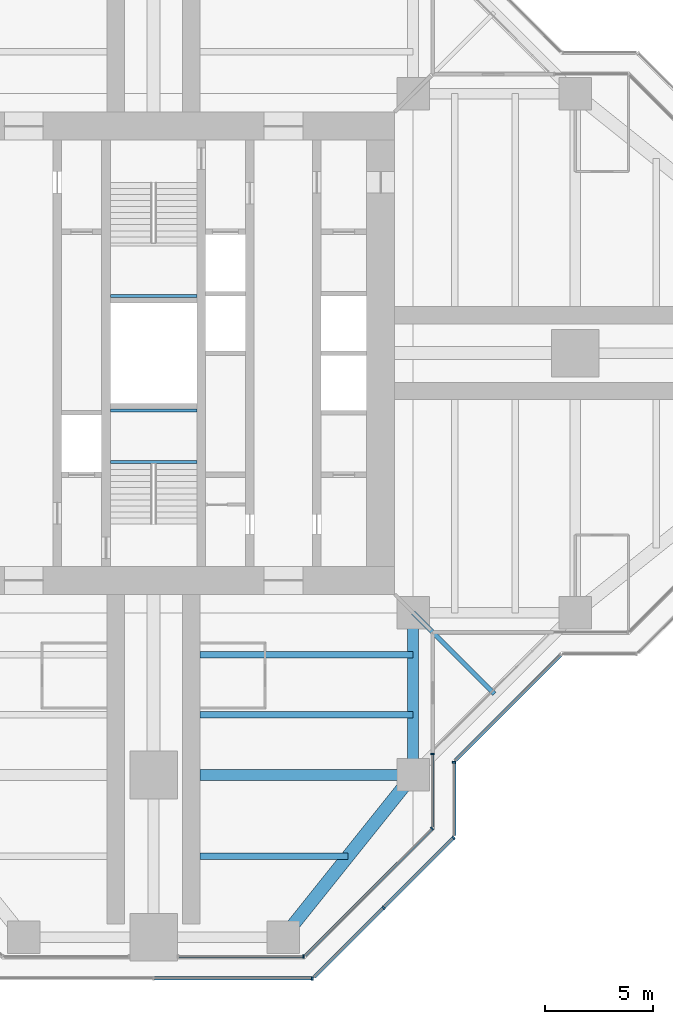
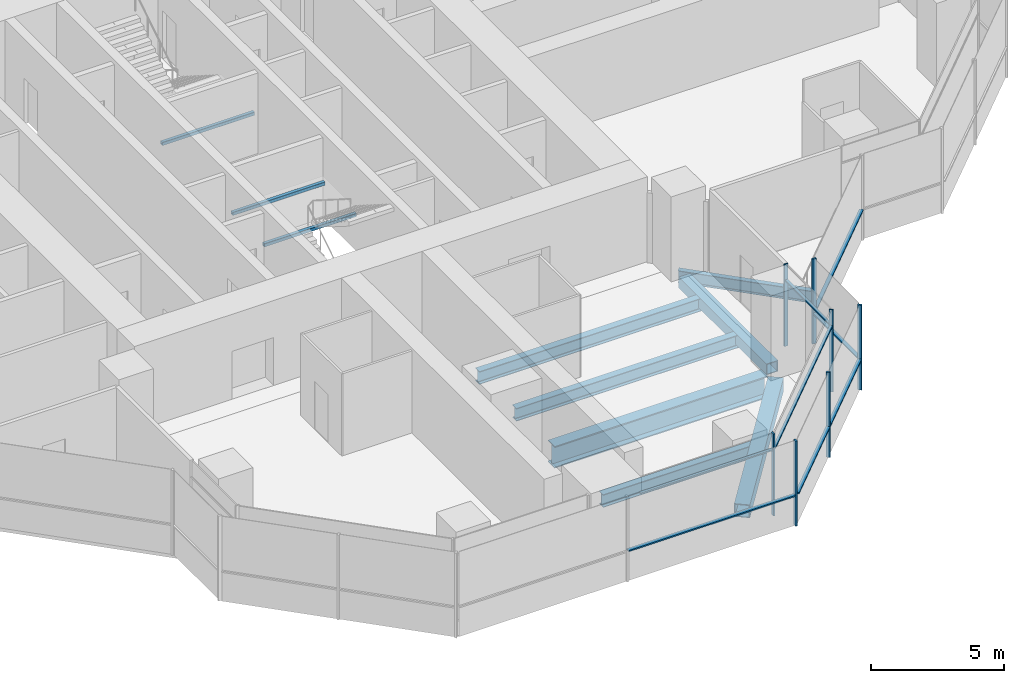
# One storey, part 4 of 17: 15 members, 10 beams, 7 elements without a shape of their own.
"""IFC4 building model written with IfcOpenShell, lengths in metres."""

from ifc_helpers import new_model, si_unit, direction, frame, origin, origin_2d, place, context, subcontext, project, spatial, rectangle, hollow_rectangle, i_section, extrude, material, material_profile, profile_set, type_object, element, aggregate, save


model = new_model("IFC4")

# Units and contexts
model_context = context("Model", 3, precision=1e-05, world=origin(), true_north=direction((0.0, 1.0)))
body_context = subcontext(model_context, "Body", "Model", "MODEL_VIEW")
ifc_project = project(units=[si_unit("LENGTHUNIT", "METRE"), si_unit("AREAUNIT", "SQUARE_METRE"), si_unit("VOLUMEUNIT", "CUBIC_METRE"), si_unit("PLANEANGLEUNIT", "RADIAN"), si_unit("MASSUNIT", "GRAM", prefix="KILO")], contexts=[model_context])

# Site, building, storey
site_placement = place(None, origin())
site = spatial("IfcSite", under=ifc_project, at=site_placement, CompositionType="ELEMENT")
building_placement = place(site_placement, origin())
building = spatial("IfcBuilding", under=site, at=building_placement, Name="Mizan Broadcast Tower", CompositionType="ELEMENT")
storey_placement = place(building_placement, frame((0.0, 0.0, 251.699951171875)))
storey = spatial("IfcBuildingStorey", under=building, at=storey_placement, Name="L59", CompositionType="ELEMENT", Elevation=251.699951171875)

# Beams
ifc_material_1 = material(Name="Steel S355", Category="steel")
ifc_material_profile_1 = material_profile(ifc_material_1, hollow_rectangle(XDim=0.5, YDim=0.5, WallThickness=0.030029296875, at=origin_2d()), Name="BOX 500x500x30")
ifc_profile_set_1 = profile_set([ifc_material_profile_1], Name="Steel S355")
beam_type_1 = type_object("IfcBeamType", Name="EDGE BEAM BOX 500x500x30", PredefinedType="SPANDREL", material=ifc_profile_set_1)
beam_1_placement = place(storey_placement, frame((12.0, -12.449951171875, -0.3798828125), z_axis=(0.0, -1.0, 0.0), x_axis=(1.0, 0.0, 0.0)))
element("IfcBeam", 1, at=beam_1_placement, inside=storey, type_object=beam_type_1, Name="Edge beam BOX 500x500x30 L59 south arm", PredefinedType="SPANDREL", context=body_context, shape_type="SweptSolid", body=[
    extrude(hollow_rectangle(XDim=0.5, YDim=0.5, WallThickness=0.030029296875, at=origin_2d()), origin(), (0.0, 0.0, 1.0), 6.60009765625),
])
ifc_material_2 = material(Name="Steel S355", Category="steel")
ifc_material_profile_2 = material_profile(ifc_material_2, hollow_rectangle(XDim=0.60009765625, YDim=0.60009765625, WallThickness=0.030029296875, at=origin_2d()), Name="BOX 600x600x30")
ifc_profile_set_2 = profile_set([ifc_material_profile_2], Name="Steel S355")
beam_type_2 = type_object("IfcBeamType", Name="EDGE BEAM BOX 600x600x30", PredefinedType="SPANDREL", material=ifc_profile_set_2)
beam_2_placement = place(storey_placement, frame((11.639892578125, -19.949951171875, -0.429931640625), z_axis=(-0.624673911726, -0.780885717636, 0.0), x_axis=(0.780885717636, -0.624673911726, 0.0)))
element("IfcBeam", 2, at=beam_2_placement, inside=storey, type_object=beam_type_2, Name="Edge beam BOX 600x600x30 L59 south arm", PredefinedType="SPANDREL", context=body_context, shape_type="SweptSolid", body=[
    extrude(hollow_rectangle(XDim=0.60009765625, YDim=0.60009765625, WallThickness=0.030029296875, at=origin_2d()), origin(), (0.0, 0.0, 1.0), 8.4521484375),
])
ifc_material_3 = material(Name="Steel S460", Category="steel")
ifc_material_profile_3 = material_profile(ifc_material_3, i_section(OverallWidth=0.5, OverallDepth=1.0, WebThickness=0.02490234375, FlangeThickness=0.050048828125, at=origin_2d()), Name="WPG 1000x500")
ifc_profile_set_3 = profile_set([ifc_material_profile_3], Name="Steel S460")
beam_type_3 = type_object("IfcBeamType", Name="GIRDER WPG 1000x500", PredefinedType="BEAM", material=ifc_profile_set_3)
beam_3_placement = place(storey_placement, frame((11.408935546875, -19.5, -0.6298828125), z_axis=(-1.0, 0.0, 0.0), x_axis=(0.0, -1.0, 0.0)))
element("IfcBeam", 3, at=beam_3_placement, inside=storey, type_object=beam_type_3, Name="Girder WPG 1000x500 L59 south arm", PredefinedType="BEAM", context=body_context, shape_type="SweptSolid", body=[
    extrude(i_section(OverallWidth=0.5, OverallDepth=1.0, WebThickness=0.02490234375, FlangeThickness=0.050048828125, at=origin_2d()), origin(), (0.0, 0.0, 1.0), 9.259033203125),
])

# Curtain wall, member
ifc_material_4 = material(Name="Aluminium framed glazing", Category="aluminium")
curtain_wall_type_1 = type_object("IfcCurtainWallType", Name="INNER SKIN HIGH ZONE", PredefinedType="USERDEFINED", material=ifc_material_4)
curtain_wall_1_placement = place(storey_placement, origin())
curtain_wall_1 = element("IfcCurtainWall", 4, at=curtain_wall_1_placement, inside=storey, type_object=curtain_wall_type_1, Name="Inner skin high zone L59 S end", ObjectType="INNER SKIN HIGH ZONE", PredefinedType="USERDEFINED")
ifc_material_5 = material(Name="Aluminium, pale anodised", Category="aluminium")
ifc_material_profile_4 = material_profile(ifc_material_5, rectangle(XDim=0.159912109375, YDim=0.06005859375, at=origin_2d()), Name="MULLION 160x60")
ifc_profile_set_4 = profile_set([ifc_material_profile_4], Name="Aluminium, pale anodised")
member_type_1 = type_object("IfcMemberType", Name="INNER SKIN MULLION 60x160", PredefinedType="MULLION", material=ifc_profile_set_4)
member_1_placement = place(storey_placement, frame((6.928466796875, -27.89990234375, 0.0), z_axis=(0.0, 0.0, 1.0), x_axis=(0.0, 1.0, 0.0)))
member_1 = element("IfcMember", 5, at=member_1_placement, type_object=member_type_1, Name="Inner skin high zone L59 S end mullion 2", PredefinedType="MULLION", context=body_context, shape_type="SweptSolid", body=[
    extrude(rectangle(XDim=0.159912109375, YDim=0.06005859375, at=origin_2d()), origin(), (0.0, 0.0, 1.0), 3.77001953125),
])

curtain_wall_2_placement = place(storey_placement, origin())
curtain_wall_2 = element("IfcCurtainWall", 6, at=curtain_wall_2_placement, inside=storey, type_object=curtain_wall_type_1, Name="Inner skin high zone L59 S chamfer", ObjectType="INNER SKIN HIGH ZONE", PredefinedType="USERDEFINED")
member_2_placement = place(storey_placement, frame((12.87890625, -21.979736328125, 0.0), z_axis=(0.0, 0.0, 1.0), x_axis=(-0.707106781187, 0.707106781187, 0.0)))
member_2 = element("IfcMember", 7, at=member_2_placement, type_object=member_type_1, Name="Inner skin high zone L59 S chamfer mullion 2", PredefinedType="MULLION", context=body_context, shape_type="SweptSolid", body=[
    extrude(rectangle(XDim=0.159912109375, YDim=0.06005859375, at=origin_2d()), origin(), (0.0, 0.0, 1.0), 3.77001953125),
])

curtain_wall_3_placement = place(storey_placement, origin())
curtain_wall_3 = element("IfcCurtainWall", 8, at=curtain_wall_3_placement, inside=storey, type_object=curtain_wall_type_1, Name="Inner skin high zone L59 S side", ObjectType="INNER SKIN HIGH ZONE", PredefinedType="USERDEFINED")
member_3_placement = place(storey_placement, frame((12.89990234375, -18.530029296875, 0.0), z_axis=(0.0, 0.0, 1.0), x_axis=(-1.0, 0.0, 0.0)))
member_3 = element("IfcMember", 9, at=member_3_placement, type_object=member_type_1, Name="Inner skin high zone L59 S side mullion 2", PredefinedType="MULLION", context=body_context, shape_type="SweptSolid", body=[
    extrude(rectangle(XDim=0.159912109375, YDim=0.06005859375, at=origin_2d()), origin(), (0.0, 0.0, 1.0), 3.77001953125),
])

# Member
ifc_material_6 = material(Name="Aluminium, pale anodised", Category="aluminium")
ifc_material_profile_5 = material_profile(ifc_material_6, rectangle(XDim=0.1201171875, YDim=0.06005859375, at=origin_2d()), Name="TRANSOM 120x60")
ifc_profile_set_5 = profile_set([ifc_material_profile_5], Name="Aluminium, pale anodised")
member_type_2 = type_object("IfcMemberType", Name="INNER SKIN TRANSOM 60x120", PredefinedType="USERDEFINED", material=ifc_profile_set_5)
member_4_placement = place(storey_placement, frame((1.159912109375, -27.89990234375, 3.030029296875), z_axis=(1.0, 0.0, 0.0), x_axis=(0.0, 1.0, 0.0)))
member_4 = element("IfcMember", 10, at=member_4_placement, type_object=member_type_2, Name="Inner skin high zone L59 S end transom 1.1", ObjectType="TRANSOM", PredefinedType="USERDEFINED", context=body_context, shape_type="SweptSolid", body=[
    extrude(rectangle(XDim=0.1201171875, YDim=0.06005859375, at=origin_2d()), origin(), (0.0, 0.0, 1.0), 5.73876953125),
])

aggregate(curtain_wall_1, [member_1, member_4])

member_5_placement = place(storey_placement, frame((7.0009765625, -27.857666015625, 3.030029296875), z_axis=(0.707106781187, 0.707106781187, 0.0), x_axis=(-0.707106781187, 0.707106781187, 0.0)))
member_5 = element("IfcMember", 11, at=member_5_placement, type_object=member_type_2, Name="Inner skin high zone L59 S chamfer transom 1.1", ObjectType="TRANSOM", PredefinedType="USERDEFINED", context=body_context, shape_type="SweptSolid", body=[
    extrude(rectangle(XDim=0.1201171875, YDim=0.06005859375, at=origin_2d()), origin(), (0.0, 0.0, 1.0), 8.28271484375),
])

aggregate(curtain_wall_2, [member_2, member_5])

member_6_placement = place(storey_placement, frame((12.89990234375, -21.898681640625, 3.030029296875), z_axis=(0.0, 1.0, 0.0), x_axis=(-1.0, 0.0, 0.0)))
member_6 = element("IfcMember", 12, at=member_6_placement, type_object=member_type_2, Name="Inner skin high zone L59 S side transom 1.1", ObjectType="TRANSOM", PredefinedType="USERDEFINED", context=body_context, shape_type="SweptSolid", body=[
    extrude(rectangle(XDim=0.1201171875, YDim=0.06005859375, at=origin_2d()), origin(), (0.0, 0.0, 1.0), 3.338623046875),
])

aggregate(curtain_wall_3, [member_3, member_6])

# Beams
ifc_material_7 = material(Name="Steel S355", Category="steel")
ifc_material_profile_6 = material_profile(ifc_material_7, hollow_rectangle(XDim=0.14990234375, YDim=0.14990234375, WallThickness=0.008056640625, InnerFilletRadius=0.008056640625, OuterFilletRadius=0.011962890625, at=origin_2d()), Name="SHS 150x150x8")
ifc_profile_set_6 = profile_set([ifc_material_profile_6], Name="Steel S355")
beam_type_4 = type_object("IfcBeamType", Name="LANDING TRIMMER SHS 150x150x8", PredefinedType="BEAM", material=ifc_profile_set_6)
for number, where, z_axis, x_axis, name in (
    (13, (-2.0, -5.02490234375, 1.675048828125), (1.0, 0.0, 0.0), (0.0, 1.0, 0.0), "Stair A landing trimmer L59"),
    (14, (-2.0, -2.64990234375, 1.675048828125), (1.0, 0.0, 0.0), (0.0, 1.0, 0.0), "Stair A landing trimmer L59"),
    (15, (2.0, 2.64990234375, 1.675048828125), (-1.0, 0.0, 0.0), (0.0, -1.0, 0.0), "Stair B landing trimmer L59"),
):
    element("IfcBeam", number, at=place(storey_placement, frame(where, z_axis=z_axis, x_axis=x_axis)), inside=storey, type_object=beam_type_4, Name=name, PredefinedType="BEAM", context=body_context, shape_type="SweptSolid", body=[
        extrude(hollow_rectangle(XDim=0.14990234375, YDim=0.14990234375, WallThickness=0.008056640625, InnerFilletRadius=0.008056640625, OuterFilletRadius=0.011962890625, at=origin_2d()), origin(), (0.0, 0.0, 1.0), 4.0),
    ])

# Curtain wall, member
ifc_material_8 = material(Name="Aluminium framed glazing", Category="aluminium")
curtain_wall_type_2 = type_object("IfcCurtainWallType", Name="OUTER SKIN", PredefinedType="USERDEFINED", material=ifc_material_8)
curtain_wall_4_placement = place(storey_placement, origin())
curtain_wall_4 = element("IfcCurtainWall", 16, at=curtain_wall_4_placement, inside=storey, type_object=curtain_wall_type_2, Name="Outer skin L59 S end", ObjectType="OUTER SKIN", PredefinedType="USERDEFINED")
ifc_material_9 = material(Name="Aluminium, pale anodised", Category="aluminium")
ifc_material_profile_7 = material_profile(ifc_material_9, rectangle(XDim=0.159912109375, YDim=0.080078125, at=origin_2d()), Name="MULLION 160x80")
ifc_profile_set_7 = profile_set([ifc_material_profile_7], Name="Aluminium, pale anodised")
member_type_3 = type_object("IfcMemberType", Name="OUTER SKIN MULLION 80x160", PredefinedType="MULLION", material=ifc_profile_set_7)
member_7_placement = place(storey_placement, frame((7.332763671875, -28.89990234375, 0.0), z_axis=(0.0, 0.0, 1.0), x_axis=(0.0, 1.0, 0.0)))
member_7 = element("IfcMember", 17, at=member_7_placement, type_object=member_type_3, Name="Outer skin L59 S end mullion 3", PredefinedType="MULLION", context=body_context, shape_type="SweptSolid", body=[
    extrude(rectangle(XDim=0.159912109375, YDim=0.080078125, at=origin_2d()), origin(), (0.0, 0.0, 1.0), 3.900146484375),
])

# Curtain wall, members
curtain_wall_5_placement = place(storey_placement, origin())
curtain_wall_5 = element("IfcCurtainWall", 18, at=curtain_wall_5_placement, inside=storey, type_object=curtain_wall_type_2, Name="Outer skin L59 S chamfer", ObjectType="OUTER SKIN", PredefinedType="USERDEFINED")
member_8_placement = place(storey_placement, frame((10.636474609375, -25.636474609375, 0.0), z_axis=(0.0, 0.0, 1.0), x_axis=(-0.707106781187, 0.707106781187, 0.0)))
member_8 = element("IfcMember", 19, at=member_8_placement, type_object=member_type_3, Name="Outer skin L59 S chamfer mullion 2", PredefinedType="MULLION", context=body_context, shape_type="SweptSolid", body=[
    extrude(rectangle(XDim=0.159912109375, YDim=0.080078125, at=origin_2d()), origin(), (0.0, 0.0, 1.0), 3.900146484375),
])
member_9_placement = place(storey_placement, frame((13.871826171875, -22.401123046875, 0.0), z_axis=(0.0, 0.0, 1.0), x_axis=(-0.707106781187, 0.707106781187, 0.0)))
member_9 = element("IfcMember", 20, at=member_9_placement, type_object=member_type_3, Name="Outer skin L59 S chamfer mullion 3", PredefinedType="MULLION", context=body_context, shape_type="SweptSolid", body=[
    extrude(rectangle(XDim=0.159912109375, YDim=0.080078125, at=origin_2d()), origin(), (0.0, 0.0, 1.0), 3.900146484375),
])

# Curtain wall, member
curtain_wall_6_placement = place(storey_placement, origin())
curtain_wall_6 = element("IfcCurtainWall", 21, at=curtain_wall_6_placement, inside=storey, type_object=curtain_wall_type_2, Name="Outer skin L59 S side", ObjectType="OUTER SKIN", PredefinedType="USERDEFINED")
member_10_placement = place(storey_placement, frame((13.89990234375, -18.912841796875, 0.0), z_axis=(0.0, 0.0, 1.0), x_axis=(-1.0, 0.0, 0.0)))
member_10 = element("IfcMember", 22, at=member_10_placement, type_object=member_type_3, Name="Outer skin L59 S side mullion 2", PredefinedType="MULLION", context=body_context, shape_type="SweptSolid", body=[
    extrude(rectangle(XDim=0.159912109375, YDim=0.080078125, at=origin_2d()), origin(), (0.0, 0.0, 1.0), 3.900146484375),
])

# Member
ifc_material_10 = material(Name="Aluminium, pale anodised", Category="aluminium")
ifc_material_profile_8 = material_profile(ifc_material_10, rectangle(XDim=0.159912109375, YDim=0.06005859375, at=origin_2d()), Name="TRANSOM 160x60")
ifc_profile_set_8 = profile_set([ifc_material_profile_8], Name="Aluminium, pale anodised")
member_type_4 = type_object("IfcMemberType", Name="OUTER SKIN TRANSOM 60x160", PredefinedType="USERDEFINED", material=ifc_profile_set_8)
member_11_placement = place(storey_placement, frame((0.0400390625, -28.89990234375, 1.400146484375), z_axis=(1.0, 0.0, 0.0), x_axis=(0.0, 1.0, 0.0)))
member_11 = element("IfcMember", 23, at=member_11_placement, type_object=member_type_4, Name="Outer skin L59 S end transom 2.1", ObjectType="TRANSOM", PredefinedType="USERDEFINED", context=body_context, shape_type="SweptSolid", body=[
    extrude(rectangle(XDim=0.159912109375, YDim=0.06005859375, at=origin_2d()), origin(), (0.0, 0.0, 1.0), 7.252685546875),
])

aggregate(curtain_wall_4, [member_7, member_11])

member_12_placement = place(storey_placement, frame((7.429443359375, -28.843505859375, 1.400146484375), z_axis=(0.707106781187, 0.707106781187, 0.0), x_axis=(-0.707106781187, 0.707106781187, 0.0)))
member_12 = element("IfcMember", 24, at=member_12_placement, type_object=member_type_4, Name="Outer skin L59 S chamfer transom 1.1", ObjectType="TRANSOM", PredefinedType="USERDEFINED", context=body_context, shape_type="SweptSolid", body=[
    extrude(rectangle(XDim=0.159912109375, YDim=0.06005859375, at=origin_2d()), origin(), (0.0, 0.0, 1.0), 4.495361328125),
])

member_13_placement = place(storey_placement, frame((10.664794921875, -25.608154296875, 1.400146484375), z_axis=(0.707106781187, 0.707106781187, 0.0), x_axis=(-0.707106781187, 0.707106781187, 0.0)))
member_13 = element("IfcMember", 25, at=member_13_placement, type_object=member_type_4, Name="Outer skin L59 S chamfer transom 2.1", ObjectType="TRANSOM", PredefinedType="USERDEFINED", context=body_context, shape_type="SweptSolid", body=[
    extrude(rectangle(XDim=0.159912109375, YDim=0.06005859375, at=origin_2d()), origin(), (0.0, 0.0, 1.0), 4.495361328125),
])

aggregate(curtain_wall_5, [member_8, member_9, member_12, member_13])

member_14_placement = place(storey_placement, frame((13.89990234375, -22.292724609375, 1.400146484375), z_axis=(0.0, 1.0, 0.0), x_axis=(-1.0, 0.0, 0.0)))
member_14 = element("IfcMember", 26, at=member_14_placement, type_object=member_type_4, Name="Outer skin L59 S side transom 1.1", ObjectType="TRANSOM", PredefinedType="USERDEFINED", context=body_context, shape_type="SweptSolid", body=[
    extrude(rectangle(XDim=0.159912109375, YDim=0.06005859375, at=origin_2d()), origin(), (0.0, 0.0, 1.0), 3.33984375),
])

aggregate(curtain_wall_6, [member_10, member_14])

# Curtain wall, member
curtain_wall_7_placement = place(storey_placement, origin())
curtain_wall_7 = element("IfcCurtainWall", 27, at=curtain_wall_7_placement, inside=storey, type_object=curtain_wall_type_2, Name="Outer skin L59 E chamfer", ObjectType="OUTER SKIN", PredefinedType="USERDEFINED")
member_15_placement = place(storey_placement, frame((13.95654296875, -18.816162109375, 1.400146484375), z_axis=(0.707106781187, 0.707106781187, 0.0), x_axis=(-0.707106781187, 0.707106781187, 0.0)))
member_15 = element("IfcMember", 28, at=member_15_placement, type_object=member_type_4, Name="Outer skin L59 E chamfer transom 1.1", ObjectType="TRANSOM", PredefinedType="USERDEFINED", context=body_context, shape_type="SweptSolid", body=[
    extrude(rectangle(XDim=0.159912109375, YDim=0.06005859375, at=origin_2d()), origin(), (0.0, 0.0, 1.0), 6.87255859375),
])
aggregate(curtain_wall_7, [member_15])

# Beams
ifc_material_11 = material(Name="Steel S355", Category="steel")
ifc_material_profile_9 = material_profile(ifc_material_11, i_section(OverallWidth=0.300048828125, OverallDepth=0.590087890625, WebThickness=0.012939453125, FlangeThickness=0.02490234375, FilletRadius=0.027099609375, at=origin_2d()), Name="HEA 600")
ifc_profile_set_9 = profile_set([ifc_material_profile_9], Name="Steel S355")
beam_type_5 = type_object("IfcBeamType", Name="SECONDARY BEAM HEA 600", PredefinedType="JOIST", material=ifc_profile_set_9)
for number, where, z_axis, x_axis, name in (
    (29, (12.0, -13.933349609375, -0.425048828125), (-1.0, 0.0, 0.0), (0.0, -1.0, 0.0), "Secondary beam HEA 600 L59 south arm"),
    (30, (12.0, -16.716552734375, -0.425048828125), (-1.0, 0.0, 0.0), (0.0, -1.0, 0.0), "Secondary beam HEA 600 L59 south arm"),
):
    element("IfcBeam", number, at=place(storey_placement, frame(where, z_axis=z_axis, x_axis=x_axis)), inside=storey, type_object=beam_type_5, Name=name, PredefinedType="JOIST", context=body_context, shape_type="SweptSolid", body=[
        extrude(i_section(OverallWidth=0.300048828125, OverallDepth=0.590087890625, WebThickness=0.012939453125, FlangeThickness=0.02490234375, FilletRadius=0.027099609375, at=origin_2d()), origin(), (0.0, 0.0, 1.0), 9.85009765625),
    ])
beam_4_placement = place(storey_placement, frame((9.0, -23.25, -0.425048828125), z_axis=(-1.0, 0.0, 0.0), x_axis=(0.0, -1.0, 0.0)))
element("IfcBeam", 31, at=beam_4_placement, inside=storey, type_object=beam_type_5, Name="Secondary beam HEA 600 L59 south arm", PredefinedType="JOIST", context=body_context, shape_type="SweptSolid", body=[
    extrude(i_section(OverallWidth=0.300048828125, OverallDepth=0.590087890625, WebThickness=0.012939453125, FlangeThickness=0.02490234375, FilletRadius=0.027099609375, at=origin_2d()), origin(), (0.0, 0.0, 1.0), 6.85009765625),
])
ifc_material_12 = material(Name="Steel S355", Category="steel")
ifc_material_profile_10 = material_profile(ifc_material_12, i_section(OverallWidth=0.2099609375, OverallDepth=0.550048828125, WebThickness=0.010986328125, FlangeThickness=0.01708984375, FilletRadius=0.02392578125, at=origin_2d()), Name="IPE 550")
ifc_profile_set_10 = profile_set([ifc_material_profile_10], Name="Steel S355")
beam_type_6 = type_object("IfcBeamType", Name="SECONDARY BEAM IPE 550", PredefinedType="JOIST", material=ifc_profile_set_10)
beam_5_placement = place(storey_placement, frame((12.0, -12.0, -0.405029296875), z_axis=(0.707106781187, -0.707106781187, 0.0), x_axis=(0.707106781187, 0.707106781187, 0.0)))
element("IfcBeam", 32, at=beam_5_placement, inside=storey, type_object=beam_type_6, Name="Winter garden beam L59 S", PredefinedType="JOIST", context=body_context, shape_type="SweptSolid", body=[
    extrude(i_section(OverallWidth=0.2099609375, OverallDepth=0.550048828125, WebThickness=0.010986328125, FlangeThickness=0.01708984375, FilletRadius=0.02392578125, at=origin_2d()), origin(), (0.0, 0.0, 1.0), 5.30322265625),
])

save(model, "model.ifc")
